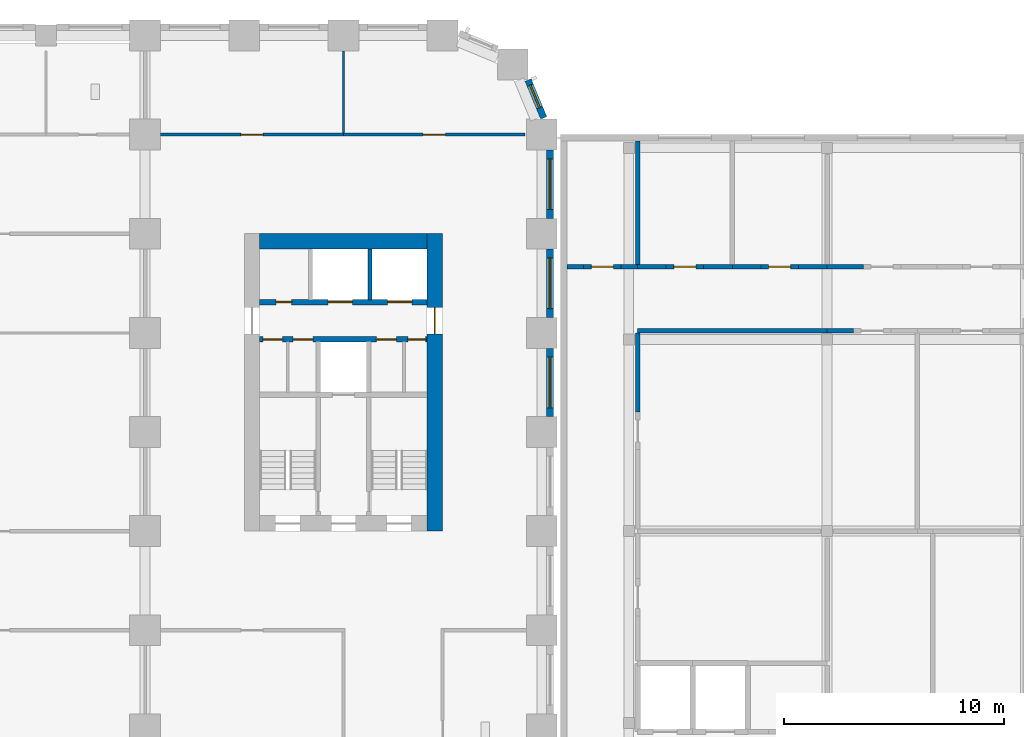
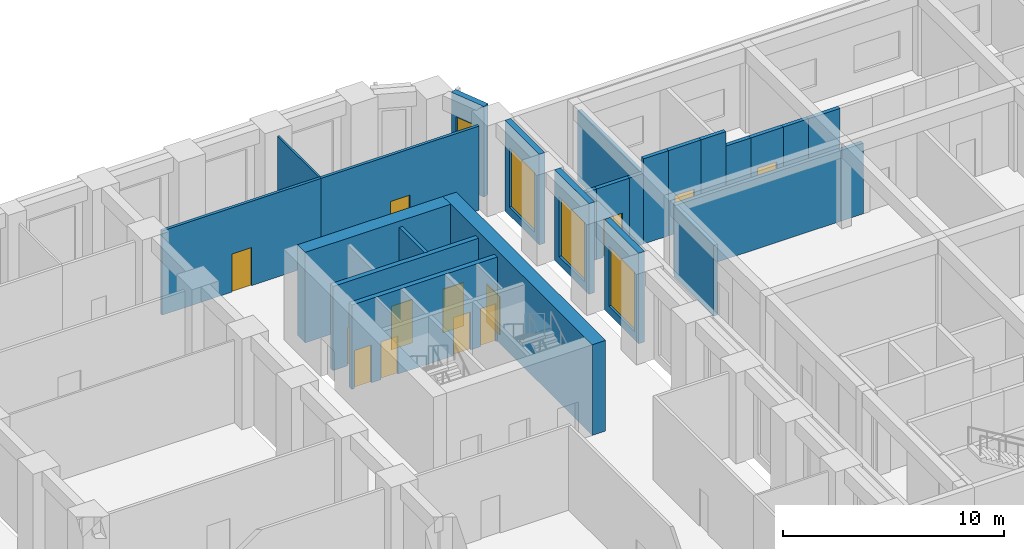
# One storey, part 8 of 19: 26 walls, 13 doors, 4 windows, 17 openings.
"""IFC4 building model written with IfcOpenShell, lengths in metres."""

from ifc_helpers import new_model, si_unit, direction, frame, frame_2d, origin, place, context, subcontext, project, spatial, rectangle, extrude, material, layer, layer_set, type_object, element, fill, save


model = new_model("IFC4")

# Units and contexts
model_context = context("Model", 3, precision=1e-05, world=origin(), true_north=direction((0.0, 1.0)))
body_context = subcontext(model_context, "Body", "Model", "MODEL_VIEW")
ifc_project = project(units=[si_unit("LENGTHUNIT", "METRE"), si_unit("AREAUNIT", "SQUARE_METRE"), si_unit("VOLUMEUNIT", "CUBIC_METRE"), si_unit("PLANEANGLEUNIT", "RADIAN"), si_unit("MASSUNIT", "GRAM", prefix="KILO")], contexts=[model_context])

# Site, building, storey
site_placement = place(None, origin())
site = spatial("IfcSite", under=ifc_project, at=site_placement, CompositionType="ELEMENT")
building_placement = place(site_placement, origin())
building = spatial("IfcBuilding", under=site, at=building_placement, Name="Girih Gate Residences", CompositionType="ELEMENT")
storey_placement = place(building_placement, frame((0.0, 0.0, 21.0)))
storey = spatial("IfcBuildingStorey", under=building, at=storey_placement, Name="L04", CompositionType="ELEMENT", Elevation=21.0)

# Wall, opening, door
ifc_material_1 = material(Name="Gypsum board on steel studs", Category="steel")
ifc_layer_1 = layer(ifc_material_1, 0.14990234375)
ifc_layer_set_1 = layer_set([ifc_layer_1], Name="Compartment wall 150 mm")
wall_type_1 = type_object("IfcWallType", Name="Compartment wall 150 mm", PredefinedType="PARTITIONING", material=ifc_layer_set_1)
wall_1_placement = place(storey_placement, frame((40.5, 45.0, 0.0), z_axis=(0.0, 0.0, 1.0), x_axis=(1.0, 0.0, 0.0)))
wall_1 = element("IfcWall", 1, at=wall_1_placement, inside=storey, type_object=wall_type_1, Name="L04 partition", PredefinedType="PARTITIONING", context=body_context, shape_type="SweptSolid", body=[
    extrude(rectangle(XDim=8.242431640625, YDim=0.14990234375, at=frame_2d((4.12109375, 0.0))), origin(), (0.0, 0.0, 1.0), 4.64990234375),
])
opening_1_placement = place(wall_1_placement, frame((3.62109375, 0.0, 0.0)))
opening_1 = element("IfcOpeningElement", 2, at=opening_1_placement, cuts=wall_1, Name="Opening D-L04-S-007", PredefinedType="OPENING", context=body_context, shape_type="SweptSolid", body=[
    extrude(rectangle(XDim=1.0, YDim=2.10009765625, at=frame_2d((0.5, 1.050048828125))), frame((0.0, 0.0849609375, 0.0), z_axis=(0.0, -1.0, 0.0), x_axis=(1.0, 0.0, 0.0)), (0.0, 0.0, 1.0), 0.169921875),
])
ifc_material_2 = material(Name="Timber, fire-rated core", Category="wood")
door_type_1 = type_object("IfcDoorType", Name="Amenity door 1000x2100 FD30S", OperationType="SINGLE_SWING_LEFT", PredefinedType="DOOR", material=ifc_material_2)
door_1_placement = place(opening_1_placement, origin())
door_1 = element("IfcDoor", 3, at=door_1_placement, inside=storey, type_object=door_type_1, Name="Door L04-007", OperationType="SINGLE_SWING_RIGHT", OverallHeight=2.10009765625, OverallWidth=1.0, PredefinedType="DOOR", context=body_context, shape_type="SweptSolid", body=[
    extrude(rectangle(XDim=1.0, YDim=2.10009765625, at=frame_2d((0.5, 1.050048828125))), frame((0.0, 0.02490234375, 0.0), z_axis=(0.0, -1.0, 0.0), x_axis=(1.0, 0.0, 0.0)), (0.0, 0.0, 1.0), 0.050048828125),
])
fill(opening_1, door_1)

wall_2_placement = place(storey_placement, frame((32.199951171875, 45.0, 0.0), z_axis=(0.0, 0.0, 1.0), x_axis=(1.0, 0.0, 0.0)))
wall_2 = element("IfcWall", 4, at=wall_2_placement, inside=storey, type_object=wall_type_1, Name="L04 partition", PredefinedType="PARTITIONING", context=body_context, shape_type="SweptSolid", body=[
    extrude(rectangle(XDim=8.300048828125, YDim=0.14990234375, at=frame_2d((4.14990234375, 0.0))), origin(), (0.0, 0.0, 1.0), 4.64990234375),
])
opening_2_placement = place(wall_2_placement, frame((3.64990234375, 0.0, 0.0)))
opening_2 = element("IfcOpeningElement", 5, at=opening_2_placement, cuts=wall_2, Name="Opening D-L04-S-008", PredefinedType="OPENING", context=body_context, shape_type="SweptSolid", body=[
    extrude(rectangle(XDim=1.0, YDim=2.10009765625, at=frame_2d((0.5, 1.050048828125))), frame((0.0, 0.0849609375, 0.0), z_axis=(0.0, -1.0, 0.0), x_axis=(1.0, 0.0, 0.0)), (0.0, 0.0, 1.0), 0.169921875),
])
door_2_placement = place(opening_2_placement, origin())
door_2 = element("IfcDoor", 6, at=door_2_placement, inside=storey, type_object=door_type_1, Name="Door L04-008", OperationType="SINGLE_SWING_RIGHT", OverallHeight=2.10009765625, OverallWidth=1.0, PredefinedType="DOOR", context=body_context, shape_type="SweptSolid", body=[
    extrude(rectangle(XDim=1.0, YDim=2.10009765625, at=frame_2d((0.5, 1.050048828125))), frame((0.0, 0.02490234375, 0.0), z_axis=(0.0, -1.0, 0.0), x_axis=(1.0, 0.0, 0.0)), (0.0, 0.0, 1.0), 0.050048828125),
])
fill(opening_2, door_2)

# Wall
ifc_material_3 = material(Name="Concrete C60/75", Category="concrete")
ifc_layer_2 = layer(ifc_material_3, 0.699951171875)
ifc_layer_set_2 = layer_set([ifc_layer_2], Name="Core wall RC 700 Concrete C60/75")
wall_type_2 = type_object("IfcWallType", Name="Core wall RC 700 Concrete C60/75", PredefinedType="SOLIDWALL", material=ifc_layer_set_2)
wall_3_placement = place(storey_placement, frame((36.699951171875, 40.14990234375, 0.0), z_axis=(0.0, 0.0, 1.0), x_axis=(1.0, 0.0, 0.0)))
element("IfcWall", 7, at=wall_3_placement, inside=storey, type_object=wall_type_2, Name="Core wall E-N L04", PredefinedType="SOLIDWALL", context=body_context, shape_type="SweptSolid", body=[
    extrude(rectangle(XDim=7.60009765625, YDim=0.699951171875, at=frame_2d((3.800048828125, 0.0))), origin(), (0.0, 0.0, 1.0), 5.0),
])

# Wall, opening, door
wall_4_placement = place(storey_placement, frame((44.64990234375, 27.0, 0.0), z_axis=(0.0, 0.0, 1.0), x_axis=(0.0, 1.0, 0.0)))
wall_4 = element("IfcWall", 8, at=wall_4_placement, inside=storey, type_object=wall_type_2, Name="Core wall E-E L04", PredefinedType="SOLIDWALL", context=body_context, shape_type="SweptSolid", body=[
    extrude(rectangle(XDim=13.5, YDim=0.699951171875, at=frame_2d((6.75, 0.0))), origin(), (0.0, 0.0, 1.0), 5.0),
])
opening_3_placement = place(wall_4_placement, frame((8.949951171875, 0.0, 0.0)))
opening_3 = element("IfcOpeningElement", 9, at=opening_3_placement, cuts=wall_4, Name="Opening D-L04-E-015", PredefinedType="OPENING", context=body_context, shape_type="SweptSolid", body=[
    extrude(rectangle(XDim=1.199951171875, YDim=2.10009765625, at=frame_2d((0.60009765625, 1.050048828125))), frame((0.0, 0.35986328125, 0.0), z_axis=(0.0, -1.0, 0.0), x_axis=(1.0, 0.0, 0.0)), (0.0, 0.0, 1.0), 0.719970703125),
])
ifc_material_4 = material(Name="Painted steel, fire-resisting", Category="steel")
door_type_2 = type_object("IfcDoorType", Name="Fire door 1200x2100", OperationType="SINGLE_SWING_LEFT", PredefinedType="DOOR", material=ifc_material_4)
door_3_placement = place(opening_3_placement, origin())
door_3 = element("IfcDoor", 10, at=door_3_placement, inside=storey, type_object=door_type_2, Name="L04 E core door ll-e", OperationType="SINGLE_SWING_LEFT", OverallHeight=2.10009765625, OverallWidth=1.199951171875, PredefinedType="DOOR", context=body_context, shape_type="SweptSolid", body=[
    extrude(rectangle(XDim=1.199951171875, YDim=2.10009765625, at=frame_2d((0.60009765625, 1.050048828125))), frame((0.0, 0.02490234375, 0.0), z_axis=(0.0, -1.0, 0.0), x_axis=(1.0, 0.0, 0.0)), (0.0, 0.0, 1.0), 0.050048828125),
])
fill(opening_3, door_3)

# Walls
ifc_material_5 = material(Name="Fire-rated gypsum partition")
ifc_layer_3 = layer(ifc_material_5, 0.199951171875)
ifc_layer_set_3 = layer_set([ifc_layer_3], Name="HC Corridor wall 200 EI 60")
wall_type_3 = type_object("IfcWallType", Name="HC Corridor wall 200 EI 60", PredefinedType="PARTITIONING", material=ifc_layer_set_3)
wall_5_placement = place(storey_placement, frame((53.85009765625, 36.10009765625, 0.0), z_axis=(0.0, 0.0, 1.0), x_axis=(1.0, 0.0, 0.0)))
element("IfcWall", 11, at=wall_5_placement, inside=storey, type_object=wall_type_3, Name="L04 wall x36.10/53.9", PredefinedType="PARTITIONING", context=body_context, shape_type="SweptSolid", body=[
    extrude(rectangle(XDim=8.599853515625, YDim=0.199951171875, at=frame_2d((4.2998046875, 0.0))), origin(), (0.0, 0.0, 1.0), 3.89990234375),
])
wall_6_placement = place(storey_placement, frame((62.449951171875, 36.10009765625, 0.0), z_axis=(0.0, 0.0, 1.0), x_axis=(1.0, 0.0, 0.0)))
element("IfcWall", 12, at=wall_6_placement, inside=storey, type_object=wall_type_3, Name="L04 wall x36.10/62.5", PredefinedType="PARTITIONING", context=body_context, shape_type="SweptSolid", body=[
    extrude(rectangle(XDim=1.199951171875, YDim=0.199951171875, at=frame_2d((0.60009765625, 0.0))), origin(), (0.0, 0.0, 1.0), 3.89990234375),
])
wall_7_placement = place(storey_placement, frame((50.64990234375, 39.0, 0.0), z_axis=(0.0, 0.0, 1.0), x_axis=(1.0, 0.0, 0.0)))
element("IfcWall", 13, at=wall_7_placement, inside=storey, type_object=wall_type_3, Name="L04 wall x39.00/50.6", PredefinedType="PARTITIONING", context=body_context, shape_type="SweptSolid", body=[
    extrude(rectangle(XDim=0.75, YDim=0.199951171875, at=frame_2d((0.375, 0.0))), origin(), (0.0, 0.0, 1.0), 3.89990234375),
])

# Wall, opening, door
wall_8_placement = place(storey_placement, frame((51.39990234375, 39.0, 0.0), z_axis=(0.0, 0.0, 1.0), x_axis=(1.0, 0.0, 0.0)))
wall_8 = element("IfcWall", 14, at=wall_8_placement, inside=storey, type_object=wall_type_3, Name="L04 wall x39.00/51.4", PredefinedType="PARTITIONING", context=body_context, shape_type="SweptSolid", body=[
    extrude(rectangle(XDim=1.7001953125, YDim=0.199951171875, at=frame_2d((0.85009765625, 0.0))), origin(), (0.0, 0.0, 1.0), 3.89990234375),
])
opening_4_placement = place(wall_8_placement, frame((0.35009765625, 0.0, 0.0)))
opening_4 = element("IfcOpeningElement", 15, at=opening_4_placement, cuts=wall_8, Name="Opening HC-L04-D27", PredefinedType="OPENING", context=body_context, shape_type="SweptSolid", body=[
    extrude(rectangle(XDim=1.0, YDim=2.10009765625, at=frame_2d((0.5, 1.050048828125))), frame((0.0, 0.10986328125, 0.0), z_axis=(0.0, -1.0, 0.0), x_axis=(1.0, 0.0, 0.0)), (0.0, 0.0, 1.0), 0.219970703125),
])
ifc_material_6 = material(Name="Timber door set", Category="wood")
door_type_3 = type_object("IfcDoorType", Name="HC Door 1000x2100 FD30S", OperationType="NOTDEFINED", PredefinedType="DOOR", material=ifc_material_6)
door_4_placement = place(opening_4_placement, origin())
door_4 = element("IfcDoor", 16, at=door_4_placement, inside=storey, type_object=door_type_3, Name="L04 Clinical director office door", OperationType="SINGLE_SWING_LEFT", OverallHeight=2.10009765625, OverallWidth=1.0, PredefinedType="DOOR", context=body_context, shape_type="SweptSolid", body=[
    extrude(rectangle(XDim=1.0, YDim=2.10009765625, at=frame_2d((0.5, 1.050048828125))), frame((0.0, 0.02490234375, 0.0), z_axis=(0.0, -1.0, 0.0), x_axis=(1.0, 0.0, 0.0)), (0.0, 0.0, 1.0), 0.050048828125),
])
fill(opening_4, door_4)

# Walls
wall_9_placement = place(storey_placement, frame((53.10009765625, 39.0, 0.0), z_axis=(0.0, 0.0, 1.0), x_axis=(1.0, 0.0, 0.0)))
element("IfcWall", 17, at=wall_9_placement, inside=storey, type_object=wall_type_3, Name="L04 wall x39.00/53.1", PredefinedType="PARTITIONING", context=body_context, shape_type="SweptSolid", body=[
    extrude(rectangle(XDim=0.75, YDim=0.199951171875, at=frame_2d((0.375, 0.0))), origin(), (0.0, 0.0, 1.0), 3.89990234375),
])
wall_10_placement = place(storey_placement, frame((53.85009765625, 39.0, 0.0), z_axis=(0.0, 0.0, 1.0), x_axis=(1.0, 0.0, 0.0)))
element("IfcWall", 18, at=wall_10_placement, inside=storey, type_object=wall_type_3, Name="L04 wall x39.00/53.9", PredefinedType="PARTITIONING", context=body_context, shape_type="SweptSolid", body=[
    extrude(rectangle(XDim=1.2998046875, YDim=0.199951171875, at=frame_2d((0.64990234375, 0.0))), origin(), (0.0, 0.0, 1.0), 4.699951171875),
])

# Wall, opening, door
wall_11_placement = place(storey_placement, frame((55.14990234375, 39.0, 0.0), z_axis=(0.0, 0.0, 1.0), x_axis=(1.0, 0.0, 0.0)))
wall_11 = element("IfcWall", 19, at=wall_11_placement, inside=storey, type_object=wall_type_3, Name="L04 wall x39.00/55.1", PredefinedType="PARTITIONING", context=body_context, shape_type="SweptSolid", body=[
    extrude(rectangle(XDim=1.7001953125, YDim=0.199951171875, at=frame_2d((0.85009765625, 0.0))), origin(), (0.0, 0.0, 1.0), 4.699951171875),
])
opening_5_placement = place(wall_11_placement, frame((0.35009765625, 0.0, 0.0)))
opening_5 = element("IfcOpeningElement", 20, at=opening_5_placement, cuts=wall_11, Name="Opening HC-L04-D28", PredefinedType="OPENING", context=body_context, shape_type="SweptSolid", body=[
    extrude(rectangle(XDim=1.0, YDim=2.10009765625, at=frame_2d((0.5, 1.050048828125))), frame((0.0, 0.10986328125, 0.0), z_axis=(0.0, -1.0, 0.0), x_axis=(1.0, 0.0, 0.0)), (0.0, 0.0, 1.0), 0.219970703125),
])
door_5_placement = place(opening_5_placement, origin())
door_5 = element("IfcDoor", 21, at=door_5_placement, inside=storey, type_object=door_type_3, Name="L04 Office 2 door", OperationType="SINGLE_SWING_RIGHT", OverallHeight=2.10009765625, OverallWidth=1.0, PredefinedType="DOOR", context=body_context, shape_type="SweptSolid", body=[
    extrude(rectangle(XDim=1.0, YDim=2.10009765625, at=frame_2d((0.5, 1.050048828125))), frame((0.0, 0.02490234375, 0.0), z_axis=(0.0, -1.0, 0.0), x_axis=(1.0, 0.0, 0.0)), (0.0, 0.0, 1.0), 0.050048828125),
])
fill(opening_5, door_5)

# Walls
wall_12_placement = place(storey_placement, frame((56.85009765625, 39.0, 0.0), z_axis=(0.0, 0.0, 1.0), x_axis=(1.0, 0.0, 0.0)))
element("IfcWall", 22, at=wall_12_placement, inside=storey, type_object=wall_type_3, Name="L04 wall x39.00/56.9", PredefinedType="PARTITIONING", context=body_context, shape_type="SweptSolid", body=[
    extrude(rectangle(XDim=1.2998046875, YDim=0.199951171875, at=frame_2d((0.64990234375, 0.0))), origin(), (0.0, 0.0, 1.0), 4.699951171875),
])
wall_13_placement = place(storey_placement, frame((58.14990234375, 39.0, 0.0), z_axis=(0.0, 0.0, 1.0), x_axis=(1.0, 0.0, 0.0)))
element("IfcWall", 23, at=wall_13_placement, inside=storey, type_object=wall_type_3, Name="L04 wall x39.00/58.1", PredefinedType="PARTITIONING", context=body_context, shape_type="SweptSolid", body=[
    extrude(rectangle(XDim=1.300048828125, YDim=0.199951171875, at=frame_2d((0.64990234375, 0.0))), origin(), (0.0, 0.0, 1.0), 3.89990234375),
])

# Wall, opening, door
wall_14_placement = place(storey_placement, frame((59.449951171875, 39.0, 0.0), z_axis=(0.0, 0.0, 1.0), x_axis=(1.0, 0.0, 0.0)))
wall_14 = element("IfcWall", 24, at=wall_14_placement, inside=storey, type_object=wall_type_3, Name="L04 wall x39.00/59.4", PredefinedType="PARTITIONING", context=body_context, shape_type="SweptSolid", body=[
    extrude(rectangle(XDim=1.699951171875, YDim=0.199951171875, at=frame_2d((0.85009765625, 0.0))), origin(), (0.0, 0.0, 1.0), 3.89990234375),
])
opening_6_placement = place(wall_14_placement, frame((0.35009765625, 0.0, 0.0)))
opening_6 = element("IfcOpeningElement", 25, at=opening_6_placement, cuts=wall_14, Name="Opening HC-L04-D29", PredefinedType="OPENING", context=body_context, shape_type="SweptSolid", body=[
    extrude(rectangle(XDim=1.0, YDim=2.10009765625, at=frame_2d((0.5, 1.050048828125))), frame((0.0, 0.10986328125, 0.0), z_axis=(0.0, -1.0, 0.0), x_axis=(1.0, 0.0, 0.0)), (0.0, 0.0, 1.0), 0.219970703125),
])
door_6_placement = place(opening_6_placement, origin())
door_6 = element("IfcDoor", 26, at=door_6_placement, inside=storey, type_object=door_type_3, Name="L04 Meeting room 1 door", OperationType="SINGLE_SWING_LEFT", OverallHeight=2.10009765625, OverallWidth=1.0, PredefinedType="DOOR", context=body_context, shape_type="SweptSolid", body=[
    extrude(rectangle(XDim=1.0, YDim=2.10009765625, at=frame_2d((0.5, 1.050048828125))), frame((0.0, 0.02490234375, 0.0), z_axis=(0.0, -1.0, 0.0), x_axis=(1.0, 0.0, 0.0)), (0.0, 0.0, 1.0), 0.050048828125),
])
fill(opening_6, door_6)

# Walls
wall_15_placement = place(storey_placement, frame((61.14990234375, 39.0, 0.0), z_axis=(0.0, 0.0, 1.0), x_axis=(1.0, 0.0, 0.0)))
element("IfcWall", 27, at=wall_15_placement, inside=storey, type_object=wall_type_3, Name="L04 wall x39.00/61.1", PredefinedType="PARTITIONING", context=body_context, shape_type="SweptSolid", body=[
    extrude(rectangle(XDim=1.300048828125, YDim=0.199951171875, at=frame_2d((0.64990234375, 0.0))), origin(), (0.0, 0.0, 1.0), 3.89990234375),
])
wall_16_placement = place(storey_placement, frame((62.449951171875, 39.0, 0.0), z_axis=(0.0, 0.0, 1.0), x_axis=(1.0, 0.0, 0.0)))
element("IfcWall", 28, at=wall_16_placement, inside=storey, type_object=wall_type_3, Name="L04 wall x39.00/62.5", PredefinedType="PARTITIONING", context=body_context, shape_type="SweptSolid", body=[
    extrude(rectangle(XDim=1.650146484375, YDim=0.199951171875, at=frame_2d((0.8251953125, 0.0))), origin(), (0.0, 0.0, 1.0), 3.89990234375),
])
wall_17_placement = place(storey_placement, frame((53.85009765625, 32.39990234375, 0.0), z_axis=(0.0, 0.0, 1.0), x_axis=(0.0, 1.0, 0.0)))
element("IfcWall", 29, at=wall_17_placement, inside=storey, type_object=wall_type_3, Name="L04 wall y53.85/32.4", PredefinedType="PARTITIONING", context=body_context, shape_type="SweptSolid", body=[
    extrude(rectangle(XDim=3.60009765625, YDim=0.199951171875, at=frame_2d((1.800048828125, 0.0))), origin(), (0.0, 0.0, 1.0), 3.89990234375),
])
ifc_material_7 = material(Name="Gypsum partition")
ifc_layer_4 = layer(ifc_material_7, 0.199951171875)
ifc_layer_set_4 = layer_set([ifc_layer_4], Name="HC Room partition 200 EI 30")
wall_type_4 = type_object("IfcWallType", Name="HC Room partition 200 EI 30", PredefinedType="PARTITIONING", material=ifc_layer_set_4)
wall_18_placement = place(storey_placement, frame((53.85009765625, 39.10009765625, 0.0), z_axis=(0.0, 0.0, 1.0), x_axis=(0.0, 1.0, 0.0)))
element("IfcWall", 30, at=wall_18_placement, inside=storey, type_object=wall_type_4, Name="L04 wall y53.85/39.1", PredefinedType="PARTITIONING", context=body_context, shape_type="SweptSolid", body=[
    extrude(rectangle(XDim=5.599853515625, YDim=0.199951171875, at=frame_2d((2.7998046875, 0.0))), origin(), (0.0, 0.0, 1.0), 3.89990234375),
])

# Wall, openings, doors
ifc_material_8 = material(Name="Concrete C40/50", Category="concrete")
ifc_layer_5 = layer(ifc_material_8, 0.25)
ifc_layer_set_5 = layer_set([ifc_layer_5], Name="Lift shaft wall 250")
wall_type_5 = type_object("IfcWallType", Name="Lift shaft wall 250", PredefinedType="SOLIDWALL", material=ifc_layer_set_5)
wall_19_placement = place(storey_placement, frame((36.699951171875, 35.699951171875, 0.0), z_axis=(0.0, 0.0, 1.0), x_axis=(1.0, 0.0, 0.0)))
wall_19 = element("IfcWall", 31, at=wall_19_placement, inside=storey, type_object=wall_type_5, Name="L04 E core wall H2", PredefinedType="SOLIDWALL", context=body_context, shape_type="SweptSolid", body=[
    extrude(rectangle(XDim=7.60009765625, YDim=0.25, at=frame_2d((3.800048828125, 0.0))), origin(), (0.0, 0.0, 1.0), 4.64990234375),
])
opening_7_placement = place(wall_19_placement, frame((6.72509765625, 0.0, 0.0)))
opening_7 = element("IfcOpeningElement", 32, at=opening_7_placement, cuts=wall_19, Name="Opening D-L04-E-007", PredefinedType="OPENING", context=body_context, shape_type="SweptSolid", body=[
    extrude(rectangle(XDim=0.800048828125, YDim=2.10009765625, at=frame_2d((0.39990234375, 1.050048828125))), frame((0.0, 0.135009765625, 0.0), z_axis=(0.0, -1.0, 0.0), x_axis=(1.0, 0.0, 0.0)), (0.0, 0.0, 1.0), 0.27001953125),
])
opening_8_placement = place(wall_19_placement, frame((5.300048828125, 0.0, 0.0)))
opening_8 = element("IfcOpeningElement", 33, at=opening_8_placement, cuts=wall_19, Name="Opening D-L04-E-008", PredefinedType="OPENING", context=body_context, shape_type="SweptSolid", body=[
    extrude(rectangle(XDim=0.89990234375, YDim=2.10009765625, at=frame_2d((0.449951171875, 1.050048828125))), frame((0.0, 0.135009765625, 0.0), z_axis=(0.0, -1.0, 0.0), x_axis=(1.0, 0.0, 0.0)), (0.0, 0.0, 1.0), 0.27001953125),
])
opening_9_placement = place(wall_19_placement, frame((1.512451171875, 0.0, 0.0)))
opening_9 = element("IfcOpeningElement", 34, at=opening_9_placement, cuts=wall_19, Name="Opening D-L04-E-009", PredefinedType="OPENING", context=body_context, shape_type="SweptSolid", body=[
    extrude(rectangle(XDim=0.89990234375, YDim=2.10009765625, at=frame_2d((0.449951171875, 1.050048828125))), frame((0.0, 0.135009765625, 0.0), z_axis=(0.0, -1.0, 0.0), x_axis=(1.0, 0.0, 0.0)), (0.0, 0.0, 1.0), 0.27001953125),
])
opening_10_placement = place(wall_19_placement, frame((0.137451171875, 0.0, 0.0)))
opening_10 = element("IfcOpeningElement", 35, at=opening_10_placement, cuts=wall_19, Name="Opening D-L04-E-010", PredefinedType="OPENING", context=body_context, shape_type="SweptSolid", body=[
    extrude(rectangle(XDim=0.89990234375, YDim=2.10009765625, at=frame_2d((0.449951171875, 1.050048828125))), frame((0.0, 0.135009765625, 0.0), z_axis=(0.0, -1.0, 0.0), x_axis=(1.0, 0.0, 0.0)), (0.0, 0.0, 1.0), 0.27001953125),
])
door_type_4 = type_object("IfcDoorType", Name="Fire door 800x2100", OperationType="SINGLE_SWING_LEFT", PredefinedType="DOOR", material=ifc_material_4)
door_7_placement = place(opening_7_placement, origin())
door_7 = element("IfcDoor", 36, at=door_7_placement, inside=storey, type_object=door_type_4, Name="L04 E it room door", OperationType="SINGLE_SWING_LEFT", OverallHeight=2.10009765625, OverallWidth=0.800048828125, PredefinedType="DOOR", context=body_context, shape_type="SweptSolid", body=[
    extrude(rectangle(XDim=0.800048828125, YDim=2.10009765625, at=frame_2d((0.39990234375, 1.050048828125))), frame((0.0, 0.02490234375, 0.0), z_axis=(0.0, -1.0, 0.0), x_axis=(1.0, 0.0, 0.0)), (0.0, 0.0, 1.0), 0.050048828125),
])
fill(opening_7, door_7)
door_type_5 = type_object("IfcDoorType", Name="Fire door 900x2100", OperationType="SINGLE_SWING_LEFT", PredefinedType="DOOR", material=ifc_material_4)
door_8_placement = place(opening_8_placement, origin())
door_8 = element("IfcDoor", 37, at=door_8_placement, inside=storey, type_object=door_type_5, Name="L04 E maintenance store door", OperationType="SINGLE_SWING_LEFT", OverallHeight=2.10009765625, OverallWidth=0.89990234375, PredefinedType="DOOR", context=body_context, shape_type="SweptSolid", body=[
    extrude(rectangle(XDim=0.89990234375, YDim=2.10009765625, at=frame_2d((0.449951171875, 1.050048828125))), frame((0.0, 0.02490234375, 0.0), z_axis=(0.0, -1.0, 0.0), x_axis=(1.0, 0.0, 0.0)), (0.0, 0.0, 1.0), 0.050048828125),
])
fill(opening_8, door_8)
door_9_placement = place(opening_9_placement, origin())
door_9 = element("IfcDoor", 38, at=door_9_placement, inside=storey, type_object=door_type_5, Name="L04 E riser room door", OperationType="SINGLE_SWING_LEFT", OverallHeight=2.10009765625, OverallWidth=0.89990234375, PredefinedType="DOOR", context=body_context, shape_type="SweptSolid", body=[
    extrude(rectangle(XDim=0.89990234375, YDim=2.10009765625, at=frame_2d((0.449951171875, 1.050048828125))), frame((0.0, 0.02490234375, 0.0), z_axis=(0.0, -1.0, 0.0), x_axis=(1.0, 0.0, 0.0)), (0.0, 0.0, 1.0), 0.050048828125),
])
fill(opening_9, door_9)
door_10_placement = place(opening_10_placement, origin())
door_10 = element("IfcDoor", 39, at=door_10_placement, inside=storey, type_object=door_type_5, Name="L04 E linen store door", OperationType="SINGLE_SWING_LEFT", OverallHeight=2.10009765625, OverallWidth=0.89990234375, PredefinedType="DOOR", context=body_context, shape_type="SweptSolid", body=[
    extrude(rectangle(XDim=0.89990234375, YDim=2.10009765625, at=frame_2d((0.449951171875, 1.050048828125))), frame((0.0, 0.02490234375, 0.0), z_axis=(0.0, -1.0, 0.0), x_axis=(1.0, 0.0, 0.0)), (0.0, 0.0, 1.0), 0.050048828125),
])
fill(opening_10, door_10)

wall_20_placement = place(storey_placement, frame((36.699951171875, 37.39990234375, 0.0), z_axis=(0.0, 0.0, 1.0), x_axis=(1.0, 0.0, 0.0)))
wall_20 = element("IfcWall", 40, at=wall_20_placement, inside=storey, type_object=wall_type_5, Name="L04 E core wall H3", PredefinedType="SOLIDWALL", context=body_context, shape_type="SweptSolid", body=[
    extrude(rectangle(XDim=7.60009765625, YDim=0.25, at=frame_2d((3.800048828125, 0.0))), origin(), (0.0, 0.0, 1.0), 4.64990234375),
])
opening_11_placement = place(wall_20_placement, frame((5.800048828125, 0.0, 0.0)))
opening_11 = element("IfcOpeningElement", 41, at=opening_11_placement, cuts=wall_20, Name="Opening D-L04-E-003", PredefinedType="OPENING", context=body_context, shape_type="SweptSolid", body=[
    extrude(rectangle(XDim=1.10009765625, YDim=2.39990234375, at=frame_2d((0.550048828125, 1.199951171875))), frame((0.0, 0.135009765625, 0.0), z_axis=(0.0, -1.0, 0.0), x_axis=(1.0, 0.0, 0.0)), (0.0, 0.0, 1.0), 0.27001953125),
])
opening_12_placement = place(wall_20_placement, frame((3.10009765625, 0.0, 0.0)))
opening_12 = element("IfcOpeningElement", 42, at=opening_12_placement, cuts=wall_20, Name="Opening D-L04-E-004", PredefinedType="OPENING", context=body_context, shape_type="SweptSolid", body=[
    extrude(rectangle(XDim=1.10009765625, YDim=2.39990234375, at=frame_2d((0.550048828125, 1.199951171875))), frame((0.0, 0.135009765625, 0.0), z_axis=(0.0, -1.0, 0.0), x_axis=(1.0, 0.0, 0.0)), (0.0, 0.0, 1.0), 0.27001953125),
])
opening_13_placement = place(wall_20_placement, frame((0.75, 0.0, 0.0)))
opening_13 = element("IfcOpeningElement", 43, at=opening_13_placement, cuts=wall_20, Name="Opening D-L04-E-006", PredefinedType="OPENING", context=body_context, shape_type="SweptSolid", body=[
    extrude(rectangle(XDim=0.699951171875, YDim=2.10009765625, at=frame_2d((0.35009765625, 1.050048828125))), frame((0.0, 0.135009765625, 0.0), z_axis=(0.0, -1.0, 0.0), x_axis=(1.0, 0.0, 0.0)), (0.0, 0.0, 1.0), 0.27001953125),
])
ifc_material_9 = material(Name="Stainless steel", Category="steel")
door_type_6 = type_object("IfcDoorType", Name="Lift landing door 1100x2400", OperationType="SLIDING_TO_LEFT", PredefinedType="DOOR", material=ifc_material_9)
door_11_placement = place(opening_11_placement, origin())
door_11 = element("IfcDoor", 44, at=door_11_placement, inside=storey, type_object=door_type_6, Name="L04 lift LR-E1 landing door", OperationType="SLIDING_TO_LEFT", OverallHeight=2.39990234375, OverallWidth=1.10009765625, PredefinedType="DOOR", context=body_context, shape_type="SweptSolid", body=[
    extrude(rectangle(XDim=1.10009765625, YDim=2.39990234375, at=frame_2d((0.550048828125, 1.199951171875))), frame((0.0, 0.02490234375, 0.0), z_axis=(0.0, -1.0, 0.0), x_axis=(1.0, 0.0, 0.0)), (0.0, 0.0, 1.0), 0.050048828125),
])
fill(opening_11, door_11)
door_12_placement = place(opening_12_placement, origin())
door_12 = element("IfcDoor", 45, at=door_12_placement, inside=storey, type_object=door_type_6, Name="L04 lift LR-E2 landing door", OperationType="SLIDING_TO_LEFT", OverallHeight=2.39990234375, OverallWidth=1.10009765625, PredefinedType="DOOR", context=body_context, shape_type="SweptSolid", body=[
    extrude(rectangle(XDim=1.10009765625, YDim=2.39990234375, at=frame_2d((0.550048828125, 1.199951171875))), frame((0.0, 0.02490234375, 0.0), z_axis=(0.0, -1.0, 0.0), x_axis=(1.0, 0.0, 0.0)), (0.0, 0.0, 1.0), 0.050048828125),
])
fill(opening_12, door_12)
door_type_7 = type_object("IfcDoorType", Name="Riser access door 700x2100", OperationType="SINGLE_SWING_LEFT", PredefinedType="DOOR", material=ifc_material_4)
door_13_placement = place(opening_13_placement, origin())
door_13 = element("IfcDoor", 46, at=door_13_placement, inside=storey, type_object=door_type_7, Name="L04 E riser room door", OperationType="SINGLE_SWING_LEFT", OverallHeight=2.10009765625, OverallWidth=0.699951171875, PredefinedType="DOOR", context=body_context, shape_type="SweptSolid", body=[
    extrude(rectangle(XDim=0.699951171875, YDim=2.10009765625, at=frame_2d((0.35009765625, 1.050048828125))), frame((0.0, 0.02490234375, 0.0), z_axis=(0.0, -1.0, 0.0), x_axis=(1.0, 0.0, 0.0)), (0.0, 0.0, 1.0), 0.050048828125),
])
fill(opening_13, door_13)

# Wall
ifc_layer_6 = layer(ifc_material_1, 0.10009765625)
ifc_layer_set_6 = layer_set([ifc_layer_6], Name="Partition 100 mm")
wall_type_6 = type_object("IfcWallType", Name="Partition 100 mm", PredefinedType="PARTITIONING", material=ifc_layer_set_6)
wall_21_placement = place(storey_placement, frame((40.5, 45.074951171875, 0.0), z_axis=(0.0, 0.0, 1.0), x_axis=(0.0, 1.0, 0.0)))
element("IfcWall", 47, at=wall_21_placement, inside=storey, type_object=wall_type_6, Name="L04 partition", PredefinedType="PARTITIONING", context=body_context, shape_type="SweptSolid", body=[
    extrude(rectangle(XDim=3.72509765625, YDim=0.10009765625, at=frame_2d((1.862548828125, 0.0))), origin(), (0.0, 0.0, 1.0), 4.64990234375),
])

# Wall, opening, window
ifc_material_10 = material(Name="Precast concrete C50/60", Category="concrete")
ifc_layer_7 = layer(ifc_material_10, 0.080078125, Name="Outer leaf")
ifc_material_11 = material(Name="Rigid PIR insulation")
ifc_layer_8 = layer(ifc_material_11, 0.14990234375, Name="Insulation")
ifc_material_12 = material(Name="Precast concrete C40/50", Category="concrete")
ifc_layer_9 = layer(ifc_material_12, 0.070068359375, Name="Inner leaf")
ifc_layer_set_7 = layer_set([ifc_layer_7, ifc_layer_8, ifc_layer_9], Name="Precast concrete C50/60 external wall 300")
wall_type_7 = type_object("IfcWallType", Name="Precast concrete C50/60 external wall 300", PredefinedType="SOLIDWALL", material=ifc_layer_set_7)
wall_22_placement = place(storey_placement, frame((49.875, 35.300048828125, 0.0), z_axis=(0.0, 0.0, 1.0), x_axis=(0.0, -1.0, 0.0)))
wall_22 = element("IfcWall", 48, at=wall_22_placement, inside=storey, type_object=wall_type_7, Name="External wall E0495_0045.6", PredefinedType="SOLIDWALL", context=body_context, shape_type="SweptSolid", body=[
    extrude(rectangle(XDim=3.10009765625, YDim=0.300048828125, at=frame_2d((1.550048828125, 0.0))), origin(), (0.0, 0.0, 1.0), 5.0),
])
opening_14_placement = place(wall_22_placement, frame((0.39990234375, 0.0, 0.449951171875)))
opening_14 = element("IfcOpeningElement", 49, at=opening_14_placement, cuts=wall_22, Name="Opening W-3", PredefinedType="OPENING", context=body_context, shape_type="SweptSolid", body=[
    extrude(rectangle(XDim=2.300048828125, YDim=3.300048828125, at=frame_2d((1.14990234375, 1.64990234375))), frame((0.0, 0.159912109375, 0.0), z_axis=(0.0, -1.0, 0.0), x_axis=(1.0, 0.0, 0.0)), (0.0, 0.0, 1.0), 0.320068359375),
])
ifc_material_13 = material(Name="Double glazing in aluminium frame", Category="aluminium")
window_type_1 = type_object("IfcWindowType", Name="Window W-3 2300x3300", PartitioningType="SINGLE_PANEL", PredefinedType="WINDOW", material=ifc_material_13)
window_1_placement = place(opening_14_placement, origin())
window_1 = element("IfcWindow", 50, at=window_1_placement, inside=storey, type_object=window_type_1, Name="Window W-3 E0495_0045.6", OverallHeight=3.300048828125, OverallWidth=2.300048828125, PartitioningType="SINGLE_PANEL", PredefinedType="WINDOW", context=body_context, shape_type="SweptSolid", body=[
    extrude(rectangle(XDim=2.300048828125, YDim=3.300048828125, at=frame_2d((1.14990234375, 1.64990234375))), frame((0.0, 0.030029296875, 0.0), z_axis=(0.0, -1.0, 0.0), x_axis=(1.0, 0.0, 0.0)), (0.0, 0.0, 1.0), 0.06005859375),
])
fill(opening_14, window_1)

wall_23_placement = place(storey_placement, frame((49.875, 39.800048828125, 0.0), z_axis=(0.0, 0.0, 1.0), x_axis=(0.0, -1.0, 0.0)))
wall_23 = element("IfcWall", 51, at=wall_23_placement, inside=storey, type_object=wall_type_7, Name="External wall E0495_0045.7", PredefinedType="SOLIDWALL", context=body_context, shape_type="SweptSolid", body=[
    extrude(rectangle(XDim=3.10009765625, YDim=0.300048828125, at=frame_2d((1.550048828125, 0.0))), origin(), (0.0, 0.0, 1.0), 5.0),
])
opening_15_placement = place(wall_23_placement, frame((0.39990234375, 0.0, 0.449951171875)))
opening_15 = element("IfcOpeningElement", 52, at=opening_15_placement, cuts=wall_23, Name="Opening W-3", PredefinedType="OPENING", context=body_context, shape_type="SweptSolid", body=[
    extrude(rectangle(XDim=2.300048828125, YDim=3.300048828125, at=frame_2d((1.14990234375, 1.64990234375))), frame((0.0, 0.159912109375, 0.0), z_axis=(0.0, -1.0, 0.0), x_axis=(1.0, 0.0, 0.0)), (0.0, 0.0, 1.0), 0.320068359375),
])
window_2_placement = place(opening_15_placement, origin())
window_2 = element("IfcWindow", 53, at=window_2_placement, inside=storey, type_object=window_type_1, Name="Window W-3 E0495_0045.7", OverallHeight=3.300048828125, OverallWidth=2.300048828125, PartitioningType="SINGLE_PANEL", PredefinedType="WINDOW", context=body_context, shape_type="SweptSolid", body=[
    extrude(rectangle(XDim=2.300048828125, YDim=3.300048828125, at=frame_2d((1.14990234375, 1.64990234375))), frame((0.0, 0.030029296875, 0.0), z_axis=(0.0, -1.0, 0.0), x_axis=(1.0, 0.0, 0.0)), (0.0, 0.0, 1.0), 0.06005859375),
])
fill(opening_15, window_2)

wall_24_placement = place(storey_placement, frame((49.875, 44.300048828125, 0.0), z_axis=(0.0, 0.0, 1.0), x_axis=(0.0, -1.0, 0.0)))
wall_24 = element("IfcWall", 54, at=wall_24_placement, inside=storey, type_object=wall_type_7, Name="External wall E0495_0045.8", PredefinedType="SOLIDWALL", context=body_context, shape_type="SweptSolid", body=[
    extrude(rectangle(XDim=3.10009765625, YDim=0.300048828125, at=frame_2d((1.550048828125, 0.0))), origin(), (0.0, 0.0, 1.0), 5.0),
])
opening_16_placement = place(wall_24_placement, frame((0.39990234375, 0.0, 0.449951171875)))
opening_16 = element("IfcOpeningElement", 55, at=opening_16_placement, cuts=wall_24, Name="Opening W-3", PredefinedType="OPENING", context=body_context, shape_type="SweptSolid", body=[
    extrude(rectangle(XDim=2.300048828125, YDim=3.300048828125, at=frame_2d((1.14990234375, 1.64990234375))), frame((0.0, 0.159912109375, 0.0), z_axis=(0.0, -1.0, 0.0), x_axis=(1.0, 0.0, 0.0)), (0.0, 0.0, 1.0), 0.320068359375),
])
window_3_placement = place(opening_16_placement, origin())
window_3 = element("IfcWindow", 56, at=window_3_placement, inside=storey, type_object=window_type_1, Name="Window W-3 E0495_0045.8", OverallHeight=3.300048828125, OverallWidth=2.300048828125, PartitioningType="SINGLE_PANEL", PredefinedType="WINDOW", context=body_context, shape_type="SweptSolid", body=[
    extrude(rectangle(XDim=2.300048828125, YDim=3.300048828125, at=frame_2d((1.14990234375, 1.64990234375))), frame((0.0, 0.030029296875, 0.0), z_axis=(0.0, -1.0, 0.0), x_axis=(1.0, 0.0, 0.0)), (0.0, 0.0, 1.0), 0.06005859375),
])
fill(opening_16, window_3)

wall_25_placement = place(storey_placement, frame((48.87841796875, 47.48046875, 0.0), z_axis=(0.0, 0.0, 1.0), x_axis=(0.38262540684, -0.923903565336, 0.0)))
wall_25 = element("IfcWall", 57, at=wall_25_placement, inside=storey, type_object=wall_type_7, Name="External wall NE0495_0450.0", PredefinedType="SOLIDWALL", context=body_context, shape_type="SweptSolid", body=[
    extrude(rectangle(XDim=1.864990234375, YDim=0.300048828125, at=frame_2d((0.9326171875, 0.0))), origin(), (0.0, 0.0, 1.0), 5.0),
])
opening_17_placement = place(wall_25_placement, frame((0.257568359375, 0.0, 0.449951171875)))
opening_17 = element("IfcOpeningElement", 58, at=opening_17_placement, cuts=wall_25, Name="Opening W-2A", PredefinedType="OPENING", context=body_context, shape_type="SweptSolid", body=[
    extrude(rectangle(XDim=1.10009765625, YDim=3.300048828125, at=frame_2d((0.550048828125, 1.64990234375))), frame((0.0, 0.159912109375, 0.0), z_axis=(0.0, -1.0, 0.0), x_axis=(1.0, 0.0, 0.0)), (0.0, 0.0, 1.0), 0.320068359375),
])
window_type_2 = type_object("IfcWindowType", Name="Window W-2A 1100x3300", PartitioningType="SINGLE_PANEL", PredefinedType="WINDOW", material=ifc_material_13)
window_4_placement = place(opening_17_placement, origin())
window_4 = element("IfcWindow", 59, at=window_4_placement, inside=storey, type_object=window_type_2, Name="Window W-2A NE0495_0450.0", OverallHeight=3.300048828125, OverallWidth=1.10009765625, PartitioningType="SINGLE_PANEL", PredefinedType="WINDOW", context=body_context, shape_type="SweptSolid", body=[
    extrude(rectangle(XDim=1.10009765625, YDim=3.300048828125, at=frame_2d((0.550048828125, 1.64990234375))), frame((0.0, 0.030029296875, 0.0), z_axis=(0.0, -1.0, 0.0), x_axis=(1.0, 0.0, 0.0)), (0.0, 0.0, 1.0), 0.06005859375),
])
fill(opening_17, window_4)

# Wall
ifc_layer_10 = layer(ifc_material_8, 0.175048828125)
ifc_layer_set_8 = layer_set([ifc_layer_10], Name="Riser shaft wall 175")
wall_type_8 = type_object("IfcWallType", Name="Riser shaft wall 175", PredefinedType="SOLIDWALL", material=ifc_layer_set_8)
wall_26_placement = place(storey_placement, frame((41.699951171875, 37.5, 0.0), z_axis=(0.0, 0.0, 1.0), x_axis=(0.0, 1.0, 0.0)))
element("IfcWall", 60, at=wall_26_placement, inside=storey, type_object=wall_type_8, Name="L04 E core wall V1c", PredefinedType="SOLIDWALL", context=body_context, shape_type="SweptSolid", body=[
    extrude(rectangle(XDim=2.300048828125, YDim=0.175048828125, at=frame_2d((1.14990234375, 0.0))), origin(), (0.0, 0.0, 1.0), 4.64990234375),
])

save(model, "model.ifc")
